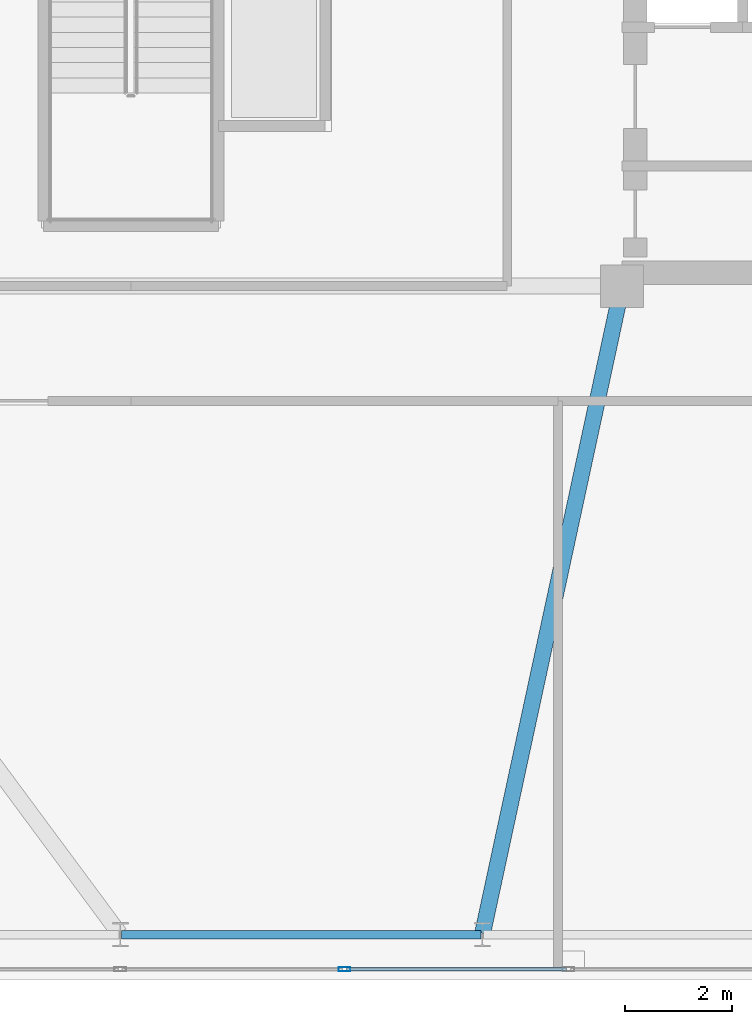
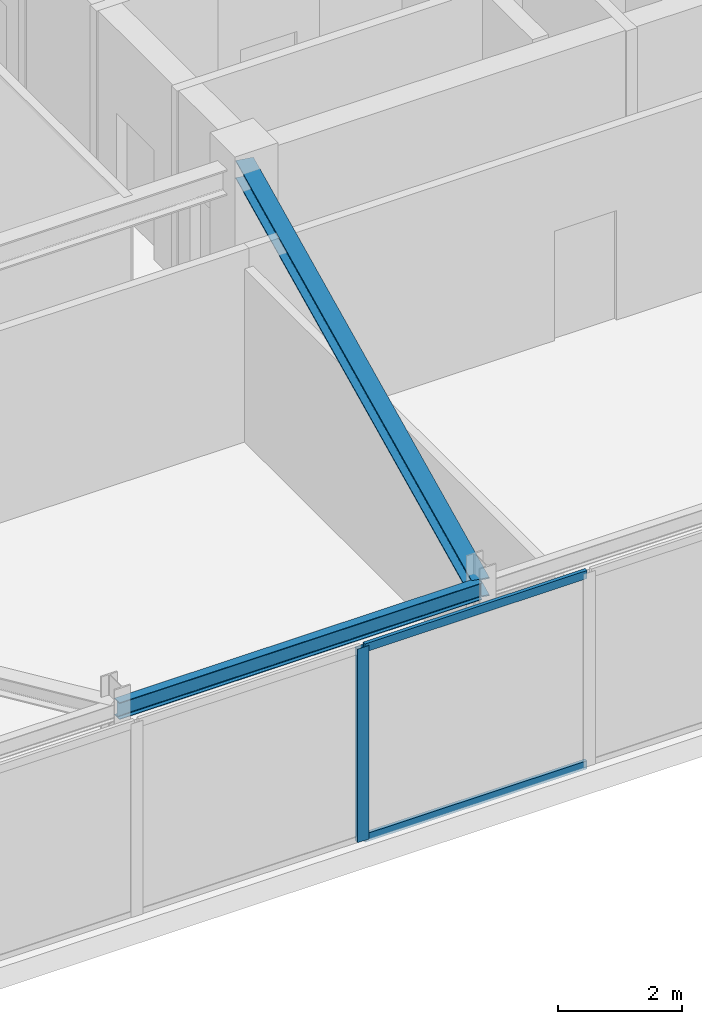
# One storey, part 8 of 27: 3 members, 2 beams, 1 element without a shape of its own.
"""IFC4 building model written with IfcOpenShell, lengths in metres."""

from ifc_helpers import new_model, si_unit, direction, frame, origin, origin_2d, place, context, subcontext, project, spatial, hollow_rectangle, i_section, extrude, material, layer, layer_set, material_profile, profile_set, type_object, element, aggregate, save


model = new_model("IFC4")

# Units and contexts
model_context = context("Model", 3, precision=1e-05, world=origin(), true_north=direction((0.0, 1.0)))
body_context = subcontext(model_context, "Body", "Model", "MODEL_VIEW")
ifc_project = project(units=[si_unit("LENGTHUNIT", "METRE"), si_unit("AREAUNIT", "SQUARE_METRE"), si_unit("VOLUMEUNIT", "CUBIC_METRE"), si_unit("PLANEANGLEUNIT", "RADIAN"), si_unit("MASSUNIT", "GRAM", prefix="KILO")], contexts=[model_context])

# Site, building, storey
site_placement = place(None, origin())
site = spatial("IfcSite", under=ifc_project, at=site_placement, CompositionType="ELEMENT")
building_placement = place(site_placement, origin())
building = spatial("IfcBuilding", under=site, at=building_placement, Name="Qobustan Lattice House", CompositionType="ELEMENT")
storey_placement = place(building_placement, frame((0.0, 0.0, 266.0)))
storey = spatial("IfcBuildingStorey", under=building, at=storey_placement, Name="L75", CompositionType="ELEMENT", Elevation=266.0)

# Beams
ifc_material_1 = material(Name="Steel S355", Category="steel")
ifc_material_profile_1 = material_profile(ifc_material_1, i_section(OverallWidth=0.300048828125, OverallDepth=0.360107421875, WebThickness=0.012451171875, FlangeThickness=0.0224609375, FilletRadius=0.027099609375, at=origin_2d()), Name="HEB360")
ifc_profile_set_1 = profile_set([ifc_material_profile_1], Name="Steel S355")
beam_type_1 = type_object("IfcBeamType", Name="BM-FLG-HEB360", PredefinedType="USERDEFINED", material=ifc_profile_set_1)
beam_1_placement = place(storey_placement, frame((6.588623046875, -17.7255859375, 3.6201171875), z_axis=(0.210523018319, 0.977588900693, 0.0), x_axis=(-0.977588900693, 0.210523018319, 0.0)))
element("IfcBeam", 1, at=beam_1_placement, inside=storey, type_object=beam_type_1, Name="L75 primary floor girder RAD-S5", ObjectType="GIRDER", PredefinedType="USERDEFINED", context=body_context, shape_type="SweptSolid", body=[
    extrude(i_section(OverallWidth=0.300048828125, OverallDepth=0.360107421875, WebThickness=0.012451171875, FlangeThickness=0.0224609375, FilletRadius=0.027099609375, at=origin_2d()), origin(), (0.0, 0.0, 1.0), 12.37841796875),
])
ifc_material_2 = material(Name="Steel S355", Category="steel")
ifc_material_profile_2 = material_profile(ifc_material_2, i_section(OverallWidth=0.159912109375, OverallDepth=0.330078125, WebThickness=0.007568359375, FlangeThickness=0.011474609375, FilletRadius=0.01806640625, at=origin_2d()), Name="IPE330")
ifc_profile_set_2 = profile_set([ifc_material_profile_2], Name="Steel S355")
beam_type_2 = type_object("IfcBeamType", Name="BM-SPD-IPE330", PredefinedType="SPANDREL", material=ifc_profile_set_2)
beam_2_placement = place(storey_placement, frame((-0.175048828125, -17.75, 3.635009765625), z_axis=(1.0, 0.0, 0.0), x_axis=(0.0, 1.0, 0.0)))
element("IfcBeam", 2, at=beam_2_placement, inside=storey, type_object=beam_type_2, Name="L75 perimeter spandrel S4-S5", PredefinedType="SPANDREL", context=body_context, shape_type="SweptSolid", body=[
    extrude(i_section(OverallWidth=0.159912109375, OverallDepth=0.330078125, WebThickness=0.007568359375, FlangeThickness=0.011474609375, FilletRadius=0.01806640625, at=origin_2d()), origin(), (0.0, 0.0, 1.0), 6.7333984375),
])

# Curtain wall, members
ifc_material_3 = material(Name="Anodised aluminium and low-E glazing", Category="aluminium")
ifc_layer = layer(ifc_material_3, 0.219970703125)
ifc_layer_set = layer_set([ifc_layer], Name="Anodised aluminium and low-E glazing")
curtain_wall_type = type_object("IfcCurtainWallType", Name="CW-OBS-01", PredefinedType="USERDEFINED", material=ifc_layer_set)
curtain_wall_placement = place(storey_placement, origin())
curtain_wall = element("IfcCurtainWall", 3, at=curtain_wall_placement, inside=storey, type_object=curtain_wall_type, Name="L75 S panoramic observation curtain wall", ObjectType="CURTAIN WALL", PredefinedType="USERDEFINED")
ifc_material_4 = material(Name="Anodised aluminium EN AW-6063 T6", Category="aluminium")
ifc_material_profile_3 = material_profile(ifc_material_4, hollow_rectangle(XDim=0.080078125, YDim=0.219970703125, WallThickness=0.0048828125, at=origin_2d()), Name="CWM-220x80")
ifc_profile_set_3 = profile_set([ifc_material_profile_3], Name="Anodised aluminium EN AW-6063 T6")
member_type_1 = type_object("IfcMemberType", Name="CWM-MAIN-220", PredefinedType="MULLION", material=ifc_profile_set_3)
member_1_placement = place(storey_placement, frame((4.0, -18.39990234375, 0.0), z_axis=(0.0, 0.0, 1.0), x_axis=(0.0, -1.0, 0.0)))
member_1 = element("IfcMember", 4, at=member_1_placement, type_object=member_type_1, Name="CW-OB mullion 5", PredefinedType="MULLION", context=body_context, shape_type="SweptSolid", body=[
    extrude(hollow_rectangle(XDim=0.080078125, YDim=0.219970703125, WallThickness=0.0048828125, at=origin_2d()), origin(), (0.0, 0.0, 1.0), 3.800048828125),
])
ifc_material_5 = material(Name="Anodised aluminium EN AW-6063 T6", Category="aluminium")
ifc_material_profile_4 = material_profile(ifc_material_5, hollow_rectangle(XDim=0.06494140625, YDim=0.159912109375, WallThickness=0.00390625, at=origin_2d()), Name="CWT-160x65")
ifc_profile_set_4 = profile_set([ifc_material_profile_4], Name="Anodised aluminium EN AW-6063 T6")
member_type_2 = type_object("IfcMemberType", Name="CWT-HOR-160", PredefinedType="USERDEFINED", material=ifc_profile_set_4)
member_2_placement = place(storey_placement, frame((8.159912109375, -18.39990234375, 0.032470703125), z_axis=(-1.0, 0.0, 0.0), x_axis=(0.0, -1.0, 0.0)))
member_2 = element("IfcMember", 5, at=member_2_placement, type_object=member_type_2, Name="CW-OB transom 4.1", ObjectType="TRANSOM", PredefinedType="USERDEFINED", context=body_context, shape_type="SweptSolid", body=[
    extrude(hollow_rectangle(XDim=0.06494140625, YDim=0.159912109375, WallThickness=0.00390625, at=origin_2d()), origin(), (0.0, 0.0, 1.0), 4.119873046875),
])
member_3_placement = place(storey_placement, frame((8.159912109375, -18.39990234375, 3.767578125), z_axis=(-1.0, 0.0, 0.0), x_axis=(0.0, -1.0, 0.0)))
member_3 = element("IfcMember", 6, at=member_3_placement, type_object=member_type_2, Name="CW-OB transom 4.2", ObjectType="TRANSOM", PredefinedType="USERDEFINED", context=body_context, shape_type="SweptSolid", body=[
    extrude(hollow_rectangle(XDim=0.06494140625, YDim=0.159912109375, WallThickness=0.00390625, at=origin_2d()), origin(), (0.0, 0.0, 1.0), 4.119873046875),
])
aggregate(curtain_wall, [member_1, member_2, member_3])

save(model, "model.ifc")
